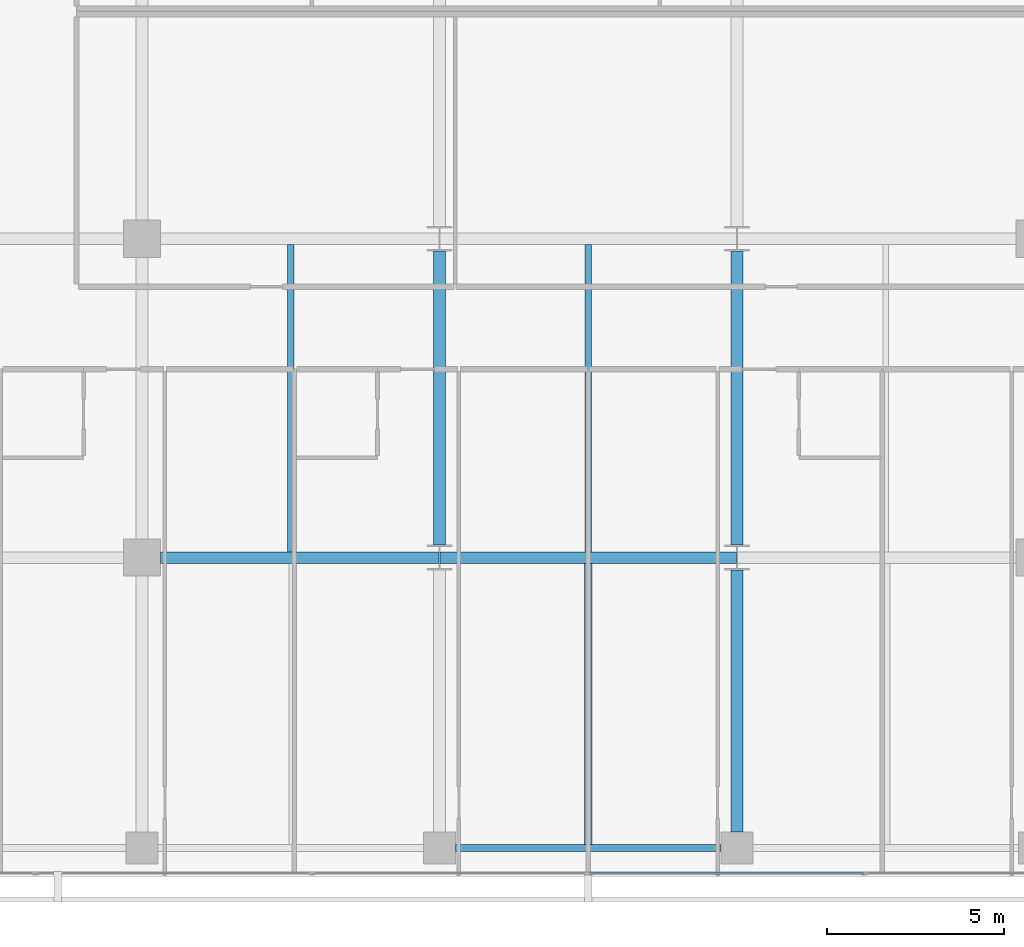
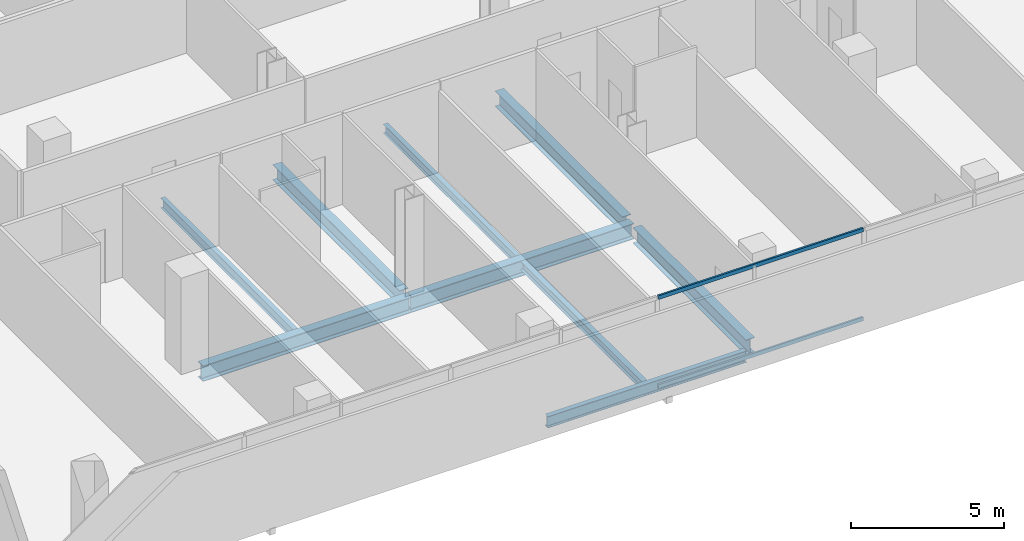
# One storey, part 9 of 40: 9 beams, 2 members, 1 element without a shape of its own.
"""IFC4 building model written with IfcOpenShell, lengths in metres."""

from ifc_helpers import new_model, si_unit, direction, frame, origin, origin_2d, place, context, subcontext, project, spatial, hollow_rectangle, i_section, extrude, material, layer, layer_set, material_profile, profile_set, type_object, element, aggregate, save


model = new_model("IFC4")

# Units and contexts
model_context = context("Model", 3, precision=1e-05, world=origin(), true_north=direction((0.0, 1.0)))
body_context = subcontext(model_context, "Body", "Model", "MODEL_VIEW")
ifc_project = project(units=[si_unit("LENGTHUNIT", "METRE"), si_unit("AREAUNIT", "SQUARE_METRE"), si_unit("VOLUMEUNIT", "CUBIC_METRE"), si_unit("PLANEANGLEUNIT", "RADIAN"), si_unit("MASSUNIT", "GRAM", prefix="KILO")], contexts=[model_context])

# Site, building, storey
site_placement = place(None, origin())
site = spatial("IfcSite", under=ifc_project, at=site_placement, CompositionType="ELEMENT")
building_placement = place(site_placement, origin())
building = spatial("IfcBuilding", under=site, at=building_placement, Name="Maruvema Waterfront Hotel and Observation Tower", CompositionType="ELEMENT")
storey_placement = place(building_placement, frame((0.0, 0.0, 42.35009765625)))
storey = spatial("IfcBuildingStorey", under=building, at=storey_placement, Name="L09", CompositionType="ELEMENT", Elevation=42.35009765625)

# Curtain wall, members
ifc_material_1 = material(Name="Anodised bronze aluminium and solar-control low-E IGU", Category="aluminium")
ifc_layer = layer(ifc_material_1, 0.159912109375, Name="Zone 1 Bronze Inner Thermal Curtain Wall System CW-02")
ifc_layer_set = layer_set([ifc_layer], Name="Anodised bronze aluminium and solar-control low-E IGU")
curtain_wall_type = type_object("IfcCurtainWallType", Name="Zone 1 Bronze Inner Thermal Curtain Wall System CW-02", PredefinedType="USERDEFINED", material=ifc_layer_set)
curtain_wall_placement = place(storey_placement, origin())
curtain_wall = element("IfcCurtainWall", 1, at=curtain_wall_placement, inside=storey, type_object=curtain_wall_type, Name="L09 Curtain Wall CW-L09-S", ObjectType="UNITISED CURTAIN WALL", PredefinedType="USERDEFINED")
ifc_material_2 = material(Name="Anodised architectural bronze aluminium", Category="aluminium")
ifc_material_profile_1 = material_profile(ifc_material_2, hollow_rectangle(XDim=0.070068359375, YDim=0.14990234375, WallThickness=0.00390625, at=origin_2d()), Name="ALU-T70x150")
ifc_profile_set_1 = profile_set([ifc_material_profile_1], Name="Anodised architectural bronze aluminium")
member_type = type_object("IfcMemberType", Name="Curtain Wall Horizontal Transom ALU-T70x150", PredefinedType="USERDEFINED", material=ifc_profile_set_1)
member_1_placement = place(storey_placement, frame((37.830078125, 0.080078125, 0.02978515625), z_axis=(1.0, 0.0, 0.0), x_axis=(0.0, 1.0, 0.0)))
member_1 = element("IfcMember", 2, at=member_1_placement, type_object=member_type, Name="CW-02 transom 4.1", ObjectType="TRANSOM", PredefinedType="USERDEFINED", context=body_context, shape_type="SweptSolid", body=[
    extrude(hollow_rectangle(XDim=0.070068359375, YDim=0.14990234375, WallThickness=0.00390625, at=origin_2d()), origin(), (0.0, 0.0, 1.0), 7.739990234375),
])
member_2_placement = place(storey_placement, frame((37.830078125, 0.080078125, 3.579833984375), z_axis=(1.0, 0.0, 0.0), x_axis=(0.0, 1.0, 0.0)))
member_2 = element("IfcMember", 3, at=member_2_placement, type_object=member_type, Name="CW-02 transom 4.2", ObjectType="TRANSOM", PredefinedType="USERDEFINED", context=body_context, shape_type="SweptSolid", body=[
    extrude(hollow_rectangle(XDim=0.070068359375, YDim=0.14990234375, WallThickness=0.00390625, at=origin_2d()), origin(), (0.0, 0.0, 1.0), 7.739990234375),
])
aggregate(curtain_wall, [member_1, member_2])

# Beams
ifc_material_3 = material(Name="Steel ASTM A572 Grade 50", Category="steel")
ifc_material_profile_2 = material_profile(ifc_material_3, i_section(OverallWidth=0.18994140625, OverallDepth=0.45703125, WebThickness=0.009033203125, FlangeThickness=0.014404296875, FilletRadius=0.014892578125, at=origin_2d()), Name="W460x74.0")
ifc_profile_set_2 = profile_set([ifc_material_profile_2], Name="Steel ASTM A572 Grade 50")
beam_type_1 = type_object("IfcBeamType", Name="Perimeter Spandrel Beam W460x74.0", PredefinedType="SPANDREL", material=ifc_profile_set_2)
beam_1_placement = place(storey_placement, frame((34.050048828125, 0.800048828125, -0.468505859375), z_axis=(1.0, 0.0, 0.0), x_axis=(0.0, 1.0, 0.0)))
element("IfcBeam", 4, at=beam_1_placement, inside=storey, type_object=beam_type_1, Name="L09 Floor Girder EW-03", PredefinedType="SPANDREL", context=body_context, shape_type="SweptSolid", body=[
    extrude(i_section(OverallWidth=0.18994140625, OverallDepth=0.45703125, WebThickness=0.009033203125, FlangeThickness=0.014404296875, FilletRadius=0.014892578125, at=origin_2d()), origin(), (0.0, 0.0, 1.0), 7.5),
])
ifc_material_4 = material(Name="Steel ASTM A572 Grade 50", Category="steel")
ifc_material_profile_3 = material_profile(ifc_material_4, i_section(OverallWidth=0.326904296875, OverallDepth=0.6220703125, WebThickness=0.015380859375, FlangeThickness=0.0244140625, FilletRadius=0.01806640625, at=origin_2d()), Name="W610x195.0")
ifc_profile_set_3 = profile_set([ifc_material_profile_3], Name="Steel ASTM A572 Grade 50")
beam_type_2 = type_object("IfcBeamType", Name="Primary Floor Girder W610x195.0", PredefinedType="BEAM", material=ifc_profile_set_3)
beam_2_placement = place(storey_placement, frame((25.72509765625, 9.0, -0.551025390625), z_axis=(1.0, 0.0, 0.0), x_axis=(0.0, 1.0, 0.0)))
element("IfcBeam", 5, at=beam_2_placement, inside=storey, type_object=beam_type_2, Name="L09 Floor Girder EW-08", PredefinedType="BEAM", context=body_context, shape_type="SweptSolid", body=[
    extrude(i_section(OverallWidth=0.326904296875, OverallDepth=0.6220703125, WebThickness=0.015380859375, FlangeThickness=0.0244140625, FilletRadius=0.01806640625, at=origin_2d()), origin(), (0.0, 0.0, 1.0), 7.86083984375),
])
beam_3_placement = place(storey_placement, frame((33.614013671875, 9.0, -0.551025390625), z_axis=(1.0, 0.0, 0.0), x_axis=(0.0, 1.0, 0.0)))
element("IfcBeam", 6, at=beam_3_placement, inside=storey, type_object=beam_type_2, Name="L09 Floor Girder EW-09", PredefinedType="BEAM", context=body_context, shape_type="SweptSolid", body=[
    extrude(i_section(OverallWidth=0.326904296875, OverallDepth=0.6220703125, WebThickness=0.015380859375, FlangeThickness=0.0244140625, FilletRadius=0.01806640625, at=origin_2d()), origin(), (0.0, 0.0, 1.0), 8.3720703125),
])
beam_4_placement = place(storey_placement, frame((33.60009765625, 9.35009765625, -0.551025390625), z_axis=(0.0, 1.0, 0.0), x_axis=(-1.0, 0.0, 0.0)))
element("IfcBeam", 7, at=beam_4_placement, inside=storey, type_object=beam_type_2, Name="L09 Floor Girder NS-17", PredefinedType="BEAM", context=body_context, shape_type="SweptSolid", body=[
    extrude(i_section(OverallWidth=0.326904296875, OverallDepth=0.6220703125, WebThickness=0.015380859375, FlangeThickness=0.0244140625, FilletRadius=0.01806640625, at=origin_2d()), origin(), (0.0, 0.0, 1.0), 8.2998046875),
])
beam_5_placement = place(storey_placement, frame((42.0, 1.25, -0.551025390625), z_axis=(0.0, 1.0, 0.0), x_axis=(-1.0, 0.0, 0.0)))
element("IfcBeam", 8, at=beam_5_placement, inside=storey, type_object=beam_type_2, Name="L09 Floor Girder NS-19", PredefinedType="BEAM", context=body_context, shape_type="SweptSolid", body=[
    extrude(i_section(OverallWidth=0.326904296875, OverallDepth=0.6220703125, WebThickness=0.015380859375, FlangeThickness=0.0244140625, FilletRadius=0.01806640625, at=origin_2d()), origin(), (0.0, 0.0, 1.0), 7.39990234375),
])
beam_6_placement = place(storey_placement, frame((42.0, 9.35009765625, -0.551025390625), z_axis=(0.0, 1.0, 0.0), x_axis=(-1.0, 0.0, 0.0)))
element("IfcBeam", 9, at=beam_6_placement, inside=storey, type_object=beam_type_2, Name="L09 Floor Girder NS-20", PredefinedType="BEAM", context=body_context, shape_type="SweptSolid", body=[
    extrude(i_section(OverallWidth=0.326904296875, OverallDepth=0.6220703125, WebThickness=0.015380859375, FlangeThickness=0.0244140625, FilletRadius=0.01806640625, at=origin_2d()), origin(), (0.0, 0.0, 1.0), 8.2998046875),
])
ifc_material_5 = material(Name="Steel ASTM A572 Grade 50", Category="steel")
ifc_material_profile_4 = material_profile(ifc_material_5, i_section(OverallWidth=0.1708984375, OverallDepth=0.35498046875, WebThickness=0.007080078125, FlangeThickness=0.01171875, FilletRadius=0.014892578125, at=origin_2d()), Name="W360x51.0")
ifc_profile_set_4 = profile_set([ifc_material_profile_4], Name="Steel ASTM A572 Grade 50")
beam_type_3 = type_object("IfcBeamType", Name="Secondary Floor Joist W360x51.0", PredefinedType="JOIST", material=ifc_profile_set_4)
beam_7_placement = place(storey_placement, frame((37.800048828125, 9.16357421875, -0.41748046875), z_axis=(0.0, 1.0, 0.0), x_axis=(-1.0, 0.0, 0.0)))
element("IfcBeam", 10, at=beam_7_placement, inside=storey, type_object=beam_type_3, Name="L09 Secondary Floor Joist JS-13", PredefinedType="JOIST", context=body_context, shape_type="SweptSolid", body=[
    extrude(i_section(OverallWidth=0.1708984375, OverallDepth=0.35498046875, WebThickness=0.007080078125, FlangeThickness=0.01171875, FilletRadius=0.014892578125, at=origin_2d()), origin(), (0.0, 0.0, 1.0), 8.6728515625),
])
ifc_material_6 = material(Name="Steel ASTM A572 Grade 50", Category="steel")
ifc_material_profile_5 = material_profile(ifc_material_6, i_section(OverallWidth=0.202880859375, OverallDepth=0.346923828125, WebThickness=0.0078125, FlangeThickness=0.013427734375, FilletRadius=0.014892578125, at=origin_2d()), Name="W360x64.0")
ifc_profile_set_5 = profile_set([ifc_material_profile_5], Name="Steel ASTM A572 Grade 50")
beam_type_4 = type_object("IfcBeamType", Name="Secondary Floor Joist W360x64.0", PredefinedType="JOIST", material=ifc_profile_set_5)
beam_8_placement = place(storey_placement, frame((37.800048828125, 0.89501953125, -0.41357421875), z_axis=(0.0, 1.0, 0.0), x_axis=(-1.0, 0.0, 0.0)))
element("IfcBeam", 11, at=beam_8_placement, inside=storey, type_object=beam_type_4, Name="L09 Secondary Floor Joist JS-12", PredefinedType="JOIST", context=body_context, shape_type="SweptSolid", body=[
    extrude(i_section(OverallWidth=0.202880859375, OverallDepth=0.346923828125, WebThickness=0.0078125, FlangeThickness=0.013427734375, FilletRadius=0.014892578125, at=origin_2d()), origin(), (0.0, 0.0, 1.0), 7.94140625),
])
ifc_material_7 = material(Name="Steel ASTM A572 Grade 50", Category="steel")
ifc_material_profile_6 = material_profile(ifc_material_7, i_section(OverallWidth=0.177001953125, OverallDepth=0.403076171875, WebThickness=0.007568359375, FlangeThickness=0.010986328125, FilletRadius=0.014892578125, at=origin_2d()), Name="W410x53.0")
ifc_profile_set_6 = profile_set([ifc_material_profile_6], Name="Steel ASTM A572 Grade 50")
beam_type_5 = type_object("IfcBeamType", Name="Secondary Floor Joist W410x53.0", PredefinedType="JOIST", material=ifc_profile_set_6)
beam_9_placement = place(storey_placement, frame((29.39990234375, 9.16357421875, -0.441650390625), z_axis=(0.0, 1.0, 0.0), x_axis=(-1.0, 0.0, 0.0)))
element("IfcBeam", 12, at=beam_9_placement, inside=storey, type_object=beam_type_5, Name="L09 Secondary Floor Joist JS-11", PredefinedType="JOIST", context=body_context, shape_type="SweptSolid", body=[
    extrude(i_section(OverallWidth=0.177001953125, OverallDepth=0.403076171875, WebThickness=0.007568359375, FlangeThickness=0.010986328125, FilletRadius=0.014892578125, at=origin_2d()), origin(), (0.0, 0.0, 1.0), 8.6728515625),
])

save(model, "model.ifc")
